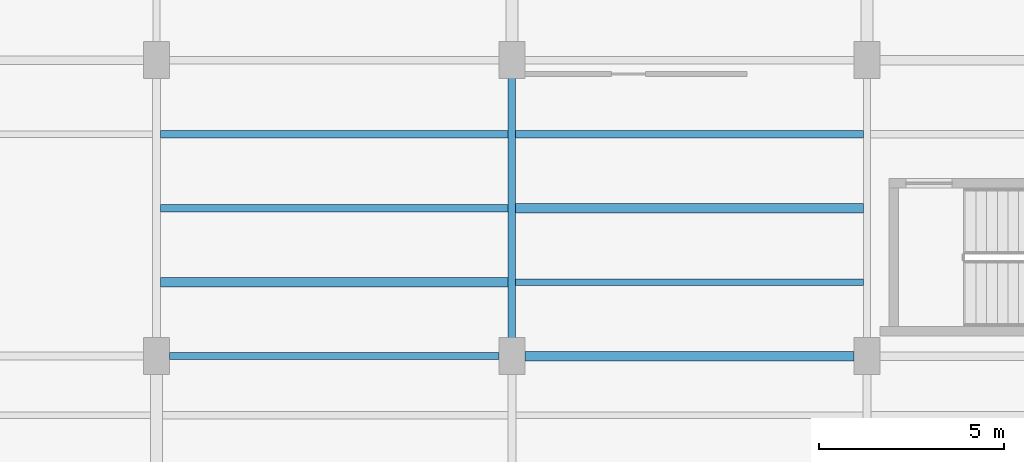
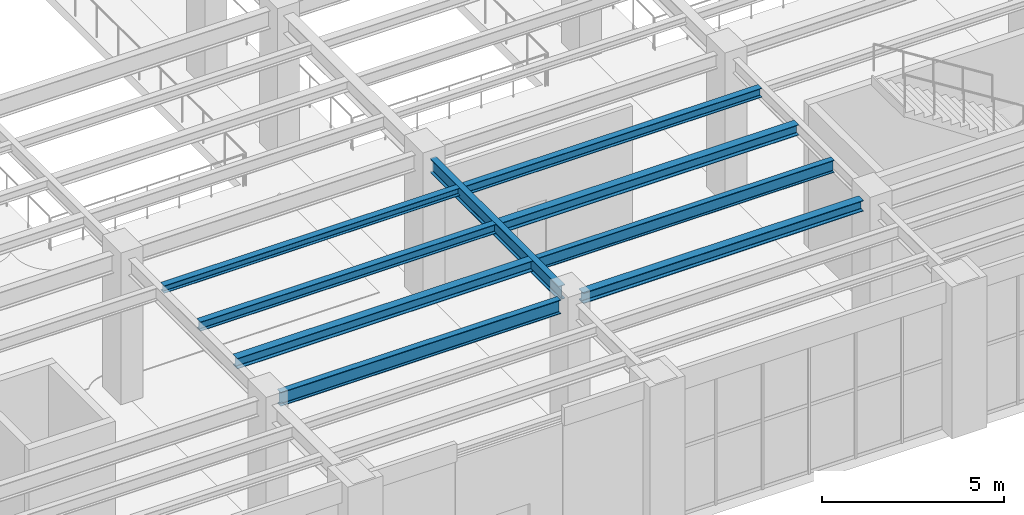
# One storey, part 97 of 174: 9 beams.
"""IFC4 building model written with IfcOpenShell, lengths in metres."""

from ifc_helpers import new_model, si_unit, direction, frame, origin, origin_2d, place, context, subcontext, project, spatial, i_section, extrude, material, material_profile, profile_set, type_object, element, save


model = new_model("IFC4")

# Units and contexts
model_context = context("Model", 3, precision=1e-05, world=origin(), true_north=direction((0.0, 1.0)))
body_context = subcontext(model_context, "Body", "Model", "MODEL_VIEW")
ifc_project = project(units=[si_unit("LENGTHUNIT", "METRE"), si_unit("AREAUNIT", "SQUARE_METRE"), si_unit("VOLUMEUNIT", "CUBIC_METRE"), si_unit("PLANEANGLEUNIT", "RADIAN"), si_unit("MASSUNIT", "GRAM", prefix="KILO")], contexts=[model_context])

# Site, building, storey
site_placement = place(None, origin())
site = spatial("IfcSite", under=ifc_project, at=site_placement, CompositionType="ELEMENT")
building_placement = place(site_placement, origin())
building = spatial("IfcBuilding", under=site, at=building_placement, Name="Mavantir Sound Aquarium", CompositionType="ELEMENT")
storey_placement = place(building_placement, frame((0.0, 0.0, 5.39990234375)))
storey = spatial("IfcBuildingStorey", under=building, at=storey_placement, Name="L01", CompositionType="ELEMENT", Elevation=5.39990234375)

# Beams
ifc_material = material(Name="Structural Steel ASTM A992 Gr50", Category="steel")
ifc_material_profile_1 = material_profile(ifc_material, i_section(OverallWidth=0.202880859375, OverallDepth=0.251953125, WebThickness=0.008056640625, FlangeThickness=0.013427734375, FilletRadius=0.011962890625, at=origin_2d()), Name="W250X58")
ifc_profile_set_1 = profile_set([ifc_material_profile_1], Name="Structural Steel ASTM A992 Gr50")
beam_type_1 = type_object("IfcBeamType", Name="BM-W250X58-I", PredefinedType="JOIST", material=ifc_profile_set_1)
beam_1_placement = place(storey_placement, frame((127.305908203125, 46.800048828125, 4.68017578125), z_axis=(1.0, 0.0, 0.0), x_axis=(0.0, 1.0, 0.0)))
element("IfcBeam", 1, at=beam_1_placement, inside=storey, type_object=beam_type_1, Name="L01 secondary floor joist SJ-25 740", PredefinedType="JOIST", context=body_context, shape_type="SweptSolid", body=[
    extrude(i_section(OverallWidth=0.202880859375, OverallDepth=0.251953125, WebThickness=0.008056640625, FlangeThickness=0.013427734375, FilletRadius=0.011962890625, at=origin_2d()), origin(), (0.0, 0.0, 1.0), 9.39697265625),
])
ifc_material_profile_2 = material_profile(ifc_material, i_section(OverallWidth=0.205078125, OverallDepth=0.31005859375, WebThickness=0.009521484375, FlangeThickness=0.016357421875, FilletRadius=0.012939453125, at=origin_2d()), Name="W310X74")
ifc_profile_set_2 = profile_set([ifc_material_profile_2], Name="Structural Steel ASTM A992 Gr50")
beam_type_2 = type_object("IfcBeamType", Name="BM-W310X74-I", PredefinedType="JOIST", material=ifc_profile_set_2)
beam_2_placement = place(storey_placement, frame((127.305908203125, 44.800048828125, 4.651123046875), z_axis=(1.0, 0.0, 0.0), x_axis=(0.0, 1.0, 0.0)))
element("IfcBeam", 2, at=beam_2_placement, inside=storey, type_object=beam_type_2, Name="L01 secondary floor joist SJ-31 739", PredefinedType="JOIST", context=body_context, shape_type="SweptSolid", body=[
    extrude(i_section(OverallWidth=0.205078125, OverallDepth=0.31005859375, WebThickness=0.009521484375, FlangeThickness=0.016357421875, FilletRadius=0.012939453125, at=origin_2d()), origin(), (0.0, 0.0, 1.0), 9.39697265625),
])
beam_3_placement = place(storey_placement, frame((136.89697265625, 46.800048828125, 4.651123046875), z_axis=(1.0, 0.0, 0.0), x_axis=(0.0, 1.0, 0.0)))
element("IfcBeam", 3, at=beam_3_placement, inside=storey, type_object=beam_type_2, Name="L01 secondary floor joist SJ-31 743", PredefinedType="JOIST", context=body_context, shape_type="SweptSolid", body=[
    extrude(i_section(OverallWidth=0.205078125, OverallDepth=0.31005859375, WebThickness=0.009521484375, FlangeThickness=0.016357421875, FilletRadius=0.012939453125, at=origin_2d()), origin(), (0.0, 0.0, 1.0), 9.406005859375),
])
ifc_material_profile_3 = material_profile(ifc_material, i_section(OverallWidth=0.257080078125, OverallDepth=0.363037109375, WebThickness=0.012939453125, FlangeThickness=0.021728515625, FilletRadius=0.014892578125, at=origin_2d()), Name="W360X122")
ifc_profile_set_3 = profile_set([ifc_material_profile_3], Name="Structural Steel ASTM A992 Gr50")
beam_type_3 = type_object("IfcBeamType", Name="BM-W360X122-I", PredefinedType="BEAM", material=ifc_profile_set_3)
beam_4_placement = place(storey_placement, frame((137.14990234375, 40.800048828125, 4.594482421875), z_axis=(1.0, 0.0, 0.0), x_axis=(0.0, 1.0, 0.0)))
element("IfcBeam", 4, at=beam_4_placement, inside=storey, type_object=beam_type_3, Name="L01 primary beam SB-36A 1248", PredefinedType="BEAM", context=body_context, shape_type="SweptSolid", body=[
    extrude(i_section(OverallWidth=0.257080078125, OverallDepth=0.363037109375, WebThickness=0.012939453125, FlangeThickness=0.021728515625, FilletRadius=0.014892578125, at=origin_2d()), origin(), (0.0, 0.0, 1.0), 8.900146484375),
])
ifc_material_profile_4 = material_profile(ifc_material, i_section(OverallWidth=0.25390625, OverallDepth=0.35302734375, WebThickness=0.009521484375, FlangeThickness=0.016357421875, FilletRadius=0.014892578125, at=origin_2d()), Name="W360X91")
ifc_profile_set_4 = profile_set([ifc_material_profile_4], Name="Structural Steel ASTM A992 Gr50")
beam_type_4 = type_object("IfcBeamType", Name="BM-W360X91-I", PredefinedType="JOIST", material=ifc_profile_set_4)
beam_5_placement = place(storey_placement, frame((127.305908203125, 42.800048828125, 4.629638671875), z_axis=(1.0, 0.0, 0.0), x_axis=(0.0, 1.0, 0.0)))
element("IfcBeam", 5, at=beam_5_placement, inside=storey, type_object=beam_type_4, Name="L01 secondary floor joist SJ-36 738", PredefinedType="JOIST", context=body_context, shape_type="SweptSolid", body=[
    extrude(i_section(OverallWidth=0.25390625, OverallDepth=0.35302734375, WebThickness=0.009521484375, FlangeThickness=0.016357421875, FilletRadius=0.014892578125, at=origin_2d()), origin(), (0.0, 0.0, 1.0), 9.39697265625),
])
beam_6_placement = place(storey_placement, frame((136.89697265625, 44.800048828125, 4.629638671875), z_axis=(1.0, 0.0, 0.0), x_axis=(0.0, 1.0, 0.0)))
element("IfcBeam", 6, at=beam_6_placement, inside=storey, type_object=beam_type_4, Name="L01 secondary floor joist SJ-36 742", PredefinedType="JOIST", context=body_context, shape_type="SweptSolid", body=[
    extrude(i_section(OverallWidth=0.25390625, OverallDepth=0.35302734375, WebThickness=0.009521484375, FlangeThickness=0.016357421875, FilletRadius=0.014892578125, at=origin_2d()), origin(), (0.0, 0.0, 1.0), 9.406005859375),
])
ifc_material_profile_5 = material_profile(ifc_material, i_section(OverallWidth=0.180908203125, OverallDepth=0.4169921875, WebThickness=0.010986328125, FlangeThickness=0.018310546875, FilletRadius=0.014892578125, at=origin_2d()), Name="W410X85")
ifc_profile_set_5 = profile_set([ifc_material_profile_5], Name="Structural Steel ASTM A992 Gr50")
beam_type_5 = type_object("IfcBeamType", Name="BM-W410X85-I", PredefinedType="JOIST", material=ifc_profile_set_5)
beam_7_placement = place(storey_placement, frame((136.89697265625, 42.800048828125, 4.59765625), z_axis=(1.0, 0.0, 0.0), x_axis=(0.0, 1.0, 0.0)))
element("IfcBeam", 7, at=beam_7_placement, inside=storey, type_object=beam_type_5, Name="L01 secondary floor joist SJ-41 741", PredefinedType="JOIST", context=body_context, shape_type="SweptSolid", body=[
    extrude(i_section(OverallWidth=0.180908203125, OverallDepth=0.4169921875, WebThickness=0.010986328125, FlangeThickness=0.018310546875, FilletRadius=0.014892578125, at=origin_2d()), origin(), (0.0, 0.0, 1.0), 9.406005859375),
])
ifc_material_profile_6 = material_profile(ifc_material, i_section(OverallWidth=0.194091796875, OverallDepth=0.468994140625, WebThickness=0.0126953125, FlangeThickness=0.0205078125, FilletRadius=0.01611328125, at=origin_2d()), Name="W460X106")
ifc_profile_set_6 = profile_set([ifc_material_profile_6], Name="Structural Steel ASTM A992 Gr50")
beam_type_6 = type_object("IfcBeamType", Name="BM-W460X106-I", PredefinedType="BEAM", material=ifc_profile_set_6)
beam_8_placement = place(storey_placement, frame((127.550048828125, 40.800048828125, 4.54150390625), z_axis=(1.0, 0.0, 0.0), x_axis=(0.0, 1.0, 0.0)))
element("IfcBeam", 8, at=beam_8_placement, inside=storey, type_object=beam_type_6, Name="L01 primary beam SB-46 1247", PredefinedType="BEAM", context=body_context, shape_type="SweptSolid", body=[
    extrude(i_section(OverallWidth=0.194091796875, OverallDepth=0.468994140625, WebThickness=0.0126953125, FlangeThickness=0.0205078125, FilletRadius=0.01611328125, at=origin_2d()), origin(), (0.0, 0.0, 1.0), 8.89990234375),
])
beam_9_placement = place(storey_placement, frame((136.800048828125, 41.25, 4.571533203125), z_axis=(0.0, 1.0, 0.0), x_axis=(-1.0, 0.0, 0.0)))
element("IfcBeam", 9, at=beam_9_placement, inside=storey, type_object=beam_type_6, Name="L01 primary girder SB-46 1323", PredefinedType="BEAM", context=body_context, shape_type="SweptSolid", body=[
    extrude(i_section(OverallWidth=0.194091796875, OverallDepth=0.468994140625, WebThickness=0.0126953125, FlangeThickness=0.0205078125, FilletRadius=0.01611328125, at=origin_2d()), origin(), (0.0, 0.0, 1.0), 7.10009765625),
])

save(model, "model.ifc")
